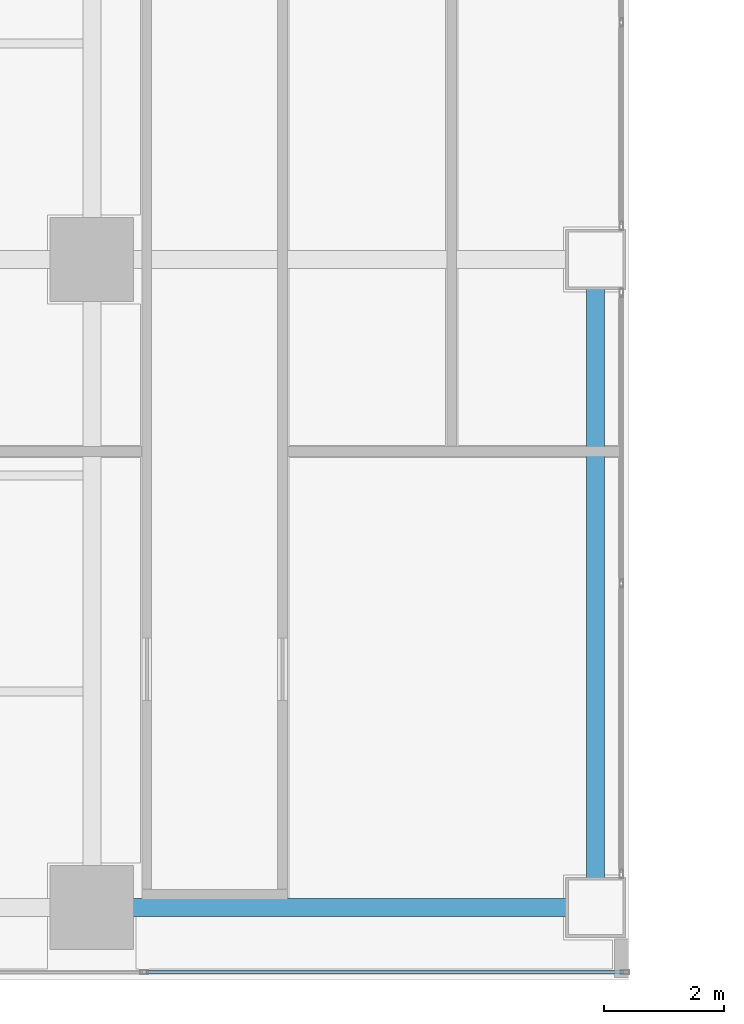
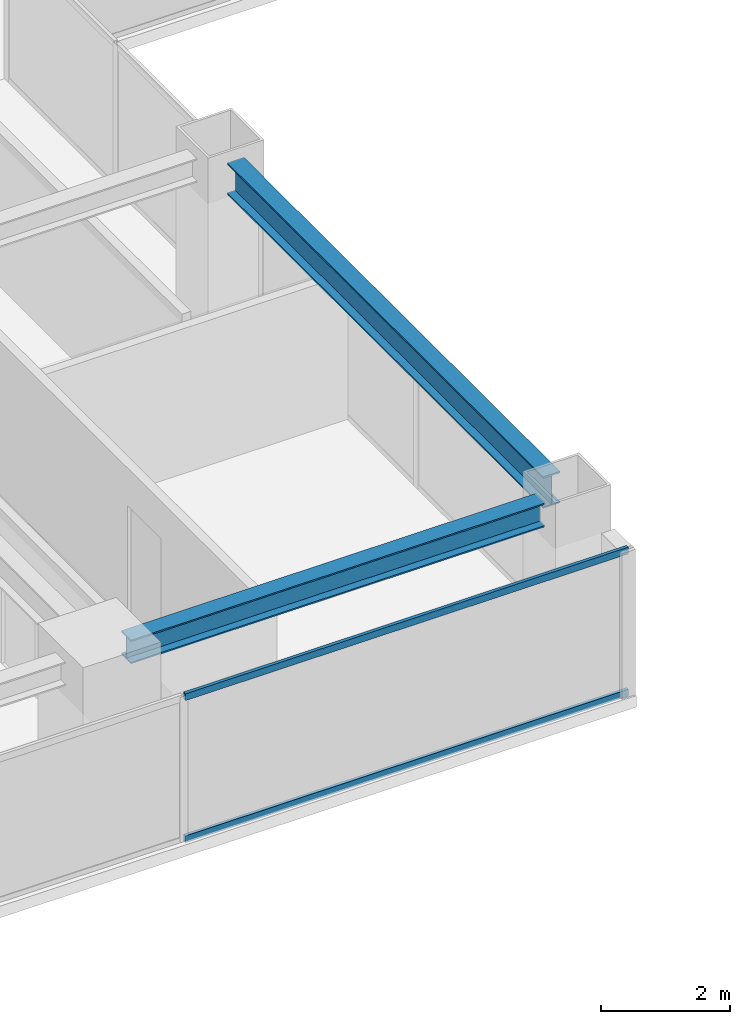
# One storey, part 3 of 29: 2 beams, 2 members, 1 element without a shape of its own.
"""IFC4 building model written with IfcOpenShell, lengths in metres."""

from ifc_helpers import new_model, si_unit, direction, frame, origin, origin_2d, place, context, subcontext, project, spatial, hollow_rectangle, i_section, extrude, source, transform, mapped, material, layer, layer_set, material_profile, profile_set, type_object, element, aggregate, save


model = new_model("IFC4")

# Units and contexts
model_context = context("Model", 3, precision=1e-05, world=origin(), true_north=direction((0.0, 1.0)))
body_context = subcontext(model_context, "Body", "Model", "MODEL_VIEW")
ifc_project = project(units=[si_unit("LENGTHUNIT", "METRE"), si_unit("AREAUNIT", "SQUARE_METRE"), si_unit("VOLUMEUNIT", "CUBIC_METRE"), si_unit("PLANEANGLEUNIT", "RADIAN"), si_unit("MASSUNIT", "GRAM", prefix="KILO")], contexts=[model_context])

# Site, building, storey
site_placement = place(None, origin())
site = spatial("IfcSite", under=ifc_project, at=site_placement, CompositionType="ELEMENT")
building_placement = place(site_placement, origin())
building = spatial("IfcBuilding", under=site, at=building_placement, Name="Sumidabori Civic Tower", CompositionType="ELEMENT")
storey_placement = place(building_placement, frame((0.0, 0.0, 218.0)))
storey = spatial("IfcBuildingStorey", under=building, at=storey_placement, Name="L56", CompositionType="ELEMENT", Elevation=218.0)

# Beams
ifc_material_1 = material(Name="Steel SN490", Category="steel")
ifc_material_profile_1 = material_profile(ifc_material_1, i_section(OverallWidth=0.300048828125, OverallDepth=0.60009765625, WebThickness=0.015380859375, FlangeThickness=0.030029296875, at=origin_2d()), Name="HE 600 B")
ifc_profile_set_1 = profile_set([ifc_material_profile_1], Name="Steel SN490")
beam_type_1 = type_object("IfcBeamType", Name="BM-GIRD-600", PredefinedType="BEAM", material=ifc_profile_set_1)
shared_shape_1 = source(origin(), body_context, "Body", "SweptSolid", [
    extrude(i_section(OverallWidth=0.300048828125, OverallDepth=0.60009765625, WebThickness=0.015380859375, FlangeThickness=0.030029296875, at=origin_2d()), origin(), (0.0, 0.0, 1.0), 9.840087890625),
])
beam_1_placement = place(storey_placement, frame((-8.39990234375, -10.320068359375, 3.080078125), z_axis=(0.0, 1.0, 0.0), x_axis=(-1.0, 0.0, 0.0)))
element("IfcBeam", 1, at=beam_1_placement, inside=storey, type_object=beam_type_1, Name="Primary Girder L56 GY-17", PredefinedType="BEAM", context=body_context, shape_type="MappedRepresentation", body=[
    mapped(shared_shape_1, transform((0.0, 0.0, 0.0), x_axis=(1.0, 0.0, 0.0), y_axis=(0.0, 1.0, 0.0), z_axis=(0.0, 0.0, 1.0), scale=1.0)),
])
ifc_material_profile_2 = material_profile(ifc_material_1, i_section(OverallWidth=0.300048828125, OverallDepth=0.449951171875, WebThickness=0.013916015625, FlangeThickness=0.02587890625, at=origin_2d()), Name="HE 450 B")
ifc_profile_set_2 = profile_set([ifc_material_profile_2], Name="Steel SN490")
beam_type_2 = type_object("IfcBeamType", Name="BM-GIRD-450", PredefinedType="BEAM", material=ifc_profile_set_2)
shared_shape_2 = source(origin(), body_context, "Body", "SweptSolid", [
    extrude(i_section(OverallWidth=0.300048828125, OverallDepth=0.449951171875, WebThickness=0.013916015625, FlangeThickness=0.02587890625, at=origin_2d()), origin(), (0.0, 0.0, 1.0), 7.440185546875),
])
beam_2_placement = place(storey_placement, frame((-16.320068359375, -10.800048828125, 3.155029296875), z_axis=(1.0, 0.0, 0.0), x_axis=(0.0, 1.0, 0.0)))
element("IfcBeam", 2, at=beam_2_placement, inside=storey, type_object=beam_type_2, Name="Primary Girder L56 GX-02", PredefinedType="BEAM", context=body_context, shape_type="MappedRepresentation", body=[
    mapped(shared_shape_2, transform((0.0, 0.0, 0.0), x_axis=(1.0, 0.0, 0.0), y_axis=(0.0, 1.0, 0.0), z_axis=(0.0, 0.0, 1.0), scale=1.0)),
])

# Curtain wall, members
ifc_material_2 = material(Name="Anodised Bronze Aluminium AW-6063-T6", Category="aluminium")
ifc_layer = layer(ifc_material_2, 0.179931640625, Name="Anodised Bronze Aluminium AW-6063-T6")
ifc_layer_set = layer_set([ifc_layer], Name="Anodised Bronze Aluminium AW-6063-T6")
curtain_wall_type = type_object("IfcCurtainWallType", Name="CW-SYS-5", PredefinedType="NOTDEFINED", material=ifc_layer_set)
curtain_wall_placement = place(storey_placement, origin())
curtain_wall = element("IfcCurtainWall", 3, at=curtain_wall_placement, inside=storey, type_object=curtain_wall_type, Name="Curtain Wall CW:L56:R01", PredefinedType="NOTDEFINED")
ifc_material_profile_3 = material_profile(ifc_material_2, hollow_rectangle(XDim=0.06005859375, YDim=0.1298828125, WallThickness=0.0048828125, at=origin_2d()), Name="ALU TRANSOM 130x60")
ifc_profile_set_3 = profile_set([ifc_material_profile_3], Name="Anodised Bronze Aluminium AW-6063-T6")
member_type = type_object("IfcMemberType", Name="CW-TRN-130", PredefinedType="USERDEFINED", material=ifc_profile_set_3)
shared_shape_3 = source(origin(), body_context, "Body", "SweptSolid", [
    extrude(hollow_rectangle(XDim=0.06005859375, YDim=0.1298828125, WallThickness=0.0048828125, at=origin_2d()), origin(), (0.0, 0.0, 1.0), 7.955078125),
])
member_1_placement = place(storey_placement, frame((-15.89501953125, -11.8798828125, 0.030029296875), z_axis=(1.0, 0.0, 0.0), x_axis=(0.0, 1.0, 0.0)))
member_1 = element("IfcMember", 4, at=member_1_placement, type_object=member_type, Name="CW-5 transom 2.1", ObjectType="TRANSOM", PredefinedType="USERDEFINED", context=body_context, shape_type="MappedRepresentation", body=[
    mapped(shared_shape_3, transform((0.0, 0.0, 0.0), x_axis=(1.0, 0.0, 0.0), y_axis=(0.0, 1.0, 0.0), z_axis=(0.0, 0.0, 1.0), scale=1.0)),
])
member_2_placement = place(storey_placement, frame((-15.89501953125, -11.8798828125, 2.72998046875), z_axis=(1.0, 0.0, 0.0), x_axis=(0.0, 1.0, 0.0)))
member_2 = element("IfcMember", 5, at=member_2_placement, type_object=member_type, Name="CW-5 transom 2.2", ObjectType="TRANSOM", PredefinedType="USERDEFINED", context=body_context, shape_type="MappedRepresentation", body=[
    mapped(shared_shape_3, transform((0.0, 0.0, 0.0), x_axis=(1.0, 0.0, 0.0), y_axis=(0.0, 1.0, 0.0), z_axis=(0.0, 0.0, 1.0), scale=1.0)),
])
aggregate(curtain_wall, [member_1, member_2])

save(model, "model.ifc")
